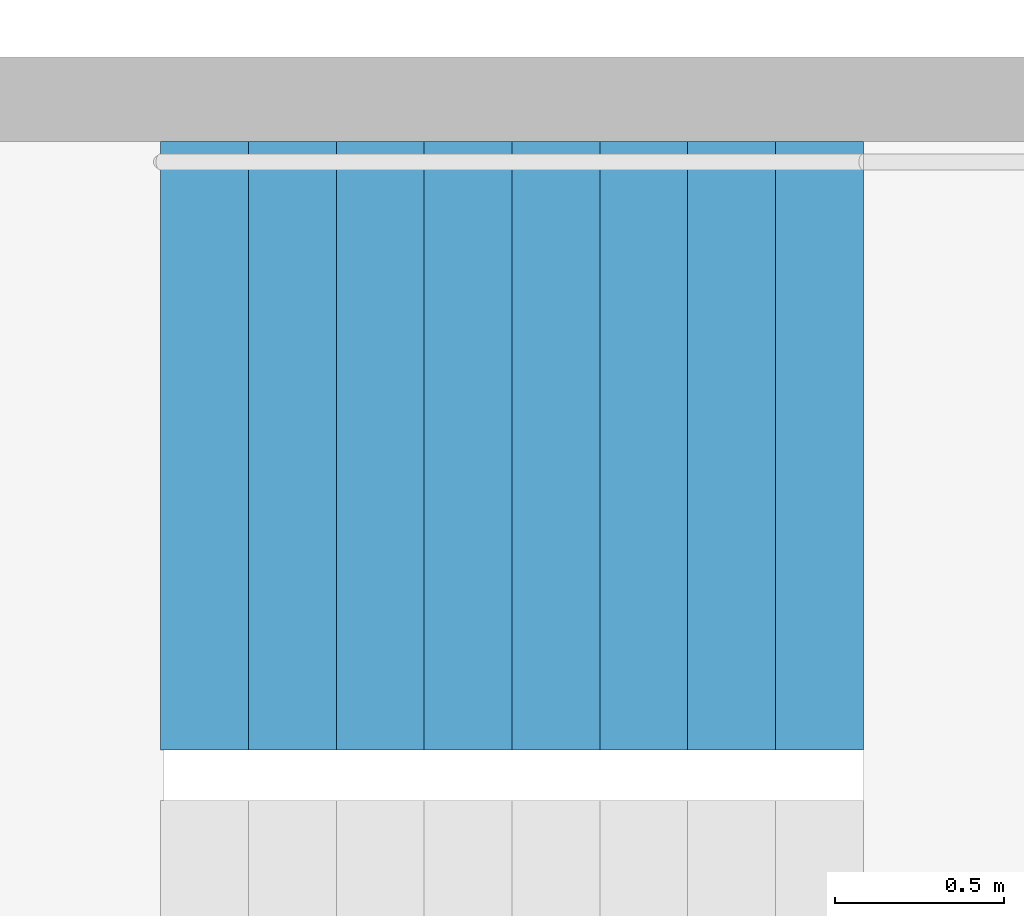
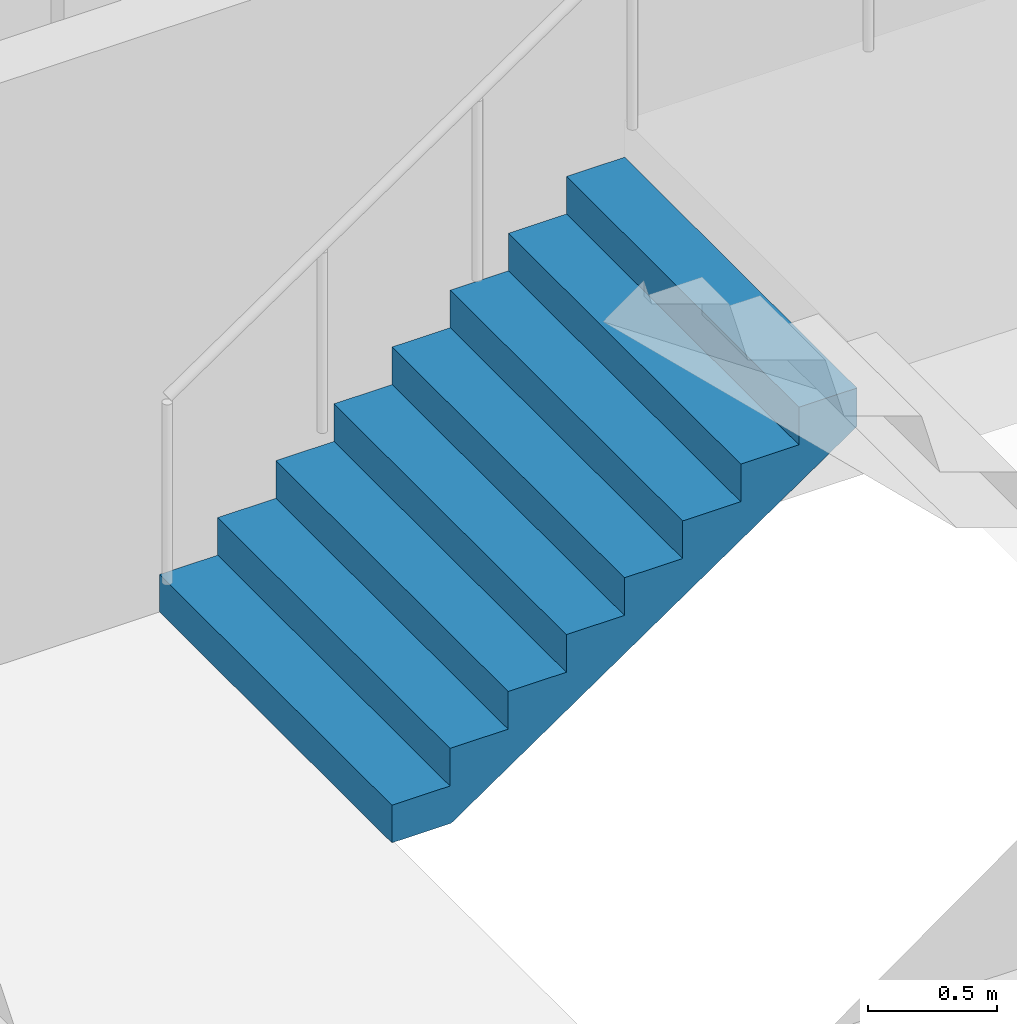
# One storey, part 22 of 30: 1 stair flight, 1 element without a shape of its own.
"""IFC4 building model written with IfcOpenShell, lengths in metres."""

from ifc_helpers import new_model, si_unit, direction, frame, origin, place, context, subcontext, project, spatial, triangles, material, type_object, element, aggregate, save


model = new_model("IFC4")

# Units and contexts
model_context = context("Model", 3, precision=1e-05, world=origin(), true_north=direction((0.0, 1.0)))
body_context = subcontext(model_context, "Body", "Model", "MODEL_VIEW")
ifc_project = project(units=[si_unit("LENGTHUNIT", "METRE"), si_unit("AREAUNIT", "SQUARE_METRE"), si_unit("VOLUMEUNIT", "CUBIC_METRE"), si_unit("PLANEANGLEUNIT", "RADIAN"), si_unit("MASSUNIT", "GRAM", prefix="KILO")], contexts=[model_context])

# Site, building, storey
site_placement = place(None, origin())
site = spatial("IfcSite", under=ifc_project, at=site_placement, CompositionType="ELEMENT")
building_placement = place(site_placement, origin())
building = spatial("IfcBuilding", under=site, at=building_placement, Name="Hakoniwa Tower and Hamabe Station Hall", CompositionType="ELEMENT")
storey_placement = place(building_placement, frame((0.0, 0.0, 137.39990234375)))
storey = spatial("IfcBuildingStorey", under=building, at=storey_placement, Name="L38", CompositionType="ELEMENT", Elevation=137.39990234375)

# Stair, stair flight
ifc_material_1 = material(Name="Concrete C40", Category="concrete")
stair_type = type_object("IfcStairType", Name="ESCAPE STAIR 1800", PredefinedType="HALF_TURN_STAIR", material=ifc_material_1)
stair_placement = place(storey_placement, origin())
stair = element("IfcStair", 1, at=stair_placement, inside=storey, type_object=stair_type, Name="Escape stair ST-4 L38", PredefinedType="HALF_TURN_STAIR")
ifc_material_2 = material(Name="Concrete C40", Category="concrete")
stair_flight_type = type_object("IfcStairFlightType", Name="STAIR FLIGHT 1800", PredefinedType="STRAIGHT", material=ifc_material_2)
stair_flight_placement = place(storey_placement, frame((23.39990234375, -4.64990234375, 0.0), z_axis=(0.0, 0.0, 1.0), x_axis=(1.0, 0.0, 0.0)))
stair_flight = element("IfcStairFlight", 2, at=stair_flight_placement, type_object=stair_flight_type, Name="ST-4 flight 1", NumberOfRisers=9, NumberOfTreads=8, PredefinedType="STRAIGHT", RiserHeight=0.177777778, TreadLength=0.26, context=body_context, shape_type="Tessellation", body=[
    triangles([(0.0, 0.89990234375, 0.0), (0.260009765625, 0.89990234375, 0.0), (0.265625, 0.89990234375, 0.0), (0.52001953125, 0.89990234375, 0.174072265625), (0.780029296875, 0.89990234375, 0.351806640625), (1.0400390625, 0.89990234375, 0.529541015625), (1.300048828125, 0.89990234375, 0.707275390625), (1.56005859375, 0.89990234375, 0.885009765625), (1.820068359375, 0.89990234375, 1.062744140625), (2.080078125, 0.89990234375, 1.24072265625), (2.080078125, 0.89990234375, 1.422119140625), (1.820068359375, 0.89990234375, 1.422119140625), (1.820068359375, 0.89990234375, 1.244384765625), (1.56005859375, 0.89990234375, 1.244384765625), (1.56005859375, 0.89990234375, 1.066650390625), (1.300048828125, 0.89990234375, 1.066650390625), (1.300048828125, 0.89990234375, 0.888916015625), (1.0400390625, 0.89990234375, 0.888916015625), (1.0400390625, 0.89990234375, 0.711181640625), (0.780029296875, 0.89990234375, 0.711181640625), (0.780029296875, 0.89990234375, 0.533447265625), (0.52001953125, 0.89990234375, 0.533447265625), (0.52001953125, 0.89990234375, 0.35546875), (0.265625, 0.89990234375, 0.35546875), (0.260009765625, 0.89990234375, 0.35546875), (0.260009765625, 0.89990234375, 0.177734375), (0.0, 0.89990234375, 0.177734375), (0.0, 0.06005859375, 0.0), (0.260009765625, 0.06005859375, 0.0), (0.265625, 0.06005859375, 0.0), (0.52001953125, 0.06005859375, 0.174072265625), (0.780029296875, 0.06005859375, 0.351806640625), (1.0400390625, 0.06005859375, 0.529541015625), (1.300048828125, 0.06005859375, 0.707275390625), (1.56005859375, 0.06005859375, 0.885009765625), (1.820068359375, 0.06005859375, 1.062744140625), (2.080078125, 0.06005859375, 1.24072265625), (2.080078125, 0.06005859375, 1.422119140625), (1.820068359375, 0.06005859375, 1.422119140625), (1.820068359375, 0.06005859375, 1.244384765625), (1.56005859375, 0.06005859375, 1.244384765625), (1.56005859375, 0.06005859375, 1.066650390625), (1.300048828125, 0.06005859375, 1.066650390625), (1.300048828125, 0.06005859375, 0.888916015625), (1.0400390625, 0.06005859375, 0.888916015625), (1.0400390625, 0.06005859375, 0.711181640625), (0.780029296875, 0.06005859375, 0.711181640625), (0.780029296875, 0.06005859375, 0.533447265625), (0.52001953125, 0.06005859375, 0.533447265625), (0.52001953125, 0.06005859375, 0.35546875), (0.265625, 0.06005859375, 0.35546875), (0.260009765625, 0.06005859375, 0.35546875), (0.260009765625, 0.06005859375, 0.177734375), (0.0, 0.06005859375, 0.177734375), (0.0, 0.04296875, 0.0), (0.260009765625, 0.04296875, 0.0), (0.265625, 0.04296875, 0.0), (0.52001953125, 0.04296875, 0.174072265625), (0.780029296875, 0.04296875, 0.351806640625), (1.0400390625, 0.04296875, 0.529541015625), (1.300048828125, 0.04296875, 0.707275390625), (1.56005859375, 0.04296875, 0.885009765625), (1.820068359375, 0.04296875, 1.062744140625), (2.080078125, 0.04296875, 1.24072265625), (2.080078125, 0.04296875, 1.422119140625), (1.820068359375, 0.04296875, 1.422119140625), (1.820068359375, 0.04296875, 1.244384765625), (1.56005859375, 0.04296875, 1.244384765625), (1.56005859375, 0.04296875, 1.066650390625), (1.300048828125, 0.04296875, 1.066650390625), (1.300048828125, 0.04296875, 0.888916015625), (1.0400390625, 0.04296875, 0.888916015625), (1.0400390625, 0.04296875, 0.711181640625), (0.780029296875, 0.04296875, 0.711181640625), (0.780029296875, 0.04296875, 0.533447265625), (0.52001953125, 0.04296875, 0.533447265625), (0.52001953125, 0.04296875, 0.35546875), (0.265625, 0.04296875, 0.35546875), (0.260009765625, 0.04296875, 0.35546875), (0.260009765625, 0.04296875, 0.177734375), (0.0, 0.04296875, 0.177734375), (0.0, 0.025634765625, 0.0), (0.260009765625, 0.025634765625, 0.0), (0.265625, 0.025634765625, 0.0), (0.52001953125, 0.025634765625, 0.174072265625), (0.780029296875, 0.025634765625, 0.351806640625), (1.0400390625, 0.025634765625, 0.529541015625), (1.300048828125, 0.025634765625, 0.707275390625), (1.56005859375, 0.025634765625, 0.885009765625), (1.820068359375, 0.025634765625, 1.062744140625), (2.080078125, 0.025634765625, 1.24072265625), (2.080078125, 0.025634765625, 1.422119140625), (1.820068359375, 0.025634765625, 1.422119140625), (1.820068359375, 0.025634765625, 1.244384765625), (1.56005859375, 0.025634765625, 1.244384765625), (1.56005859375, 0.025634765625, 1.066650390625), (1.300048828125, 0.025634765625, 1.066650390625), (1.300048828125, 0.025634765625, 0.888916015625), (1.0400390625, 0.025634765625, 0.888916015625), (1.0400390625, 0.025634765625, 0.711181640625), (0.780029296875, 0.025634765625, 0.711181640625), (0.780029296875, 0.025634765625, 0.533447265625), (0.52001953125, 0.025634765625, 0.533447265625), (0.52001953125, 0.025634765625, 0.35546875), (0.265625, 0.025634765625, 0.35546875), (0.260009765625, 0.025634765625, 0.35546875), (0.260009765625, 0.025634765625, 0.177734375), (0.0, 0.025634765625, 0.177734375), (0.0, 0.008544921875, 0.0), (0.260009765625, 0.008544921875, 0.0), (0.265625, 0.008544921875, 0.0), (0.52001953125, 0.008544921875, 0.174072265625), (0.780029296875, 0.008544921875, 0.351806640625), (1.0400390625, 0.008544921875, 0.529541015625), (1.300048828125, 0.008544921875, 0.707275390625), (1.56005859375, 0.008544921875, 0.885009765625), (1.820068359375, 0.008544921875, 1.062744140625), (2.080078125, 0.008544921875, 1.24072265625), (2.080078125, 0.008544921875, 1.422119140625), (1.820068359375, 0.008544921875, 1.422119140625), (1.820068359375, 0.008544921875, 1.244384765625), (1.56005859375, 0.008544921875, 1.244384765625), (1.56005859375, 0.008544921875, 1.066650390625), (1.300048828125, 0.008544921875, 1.066650390625), (1.300048828125, 0.008544921875, 0.888916015625), (1.0400390625, 0.008544921875, 0.888916015625), (1.0400390625, 0.008544921875, 0.711181640625), (0.780029296875, 0.008544921875, 0.711181640625), (0.780029296875, 0.008544921875, 0.533447265625), (0.52001953125, 0.008544921875, 0.533447265625), (0.52001953125, 0.008544921875, 0.35546875), (0.265625, 0.008544921875, 0.35546875), (0.260009765625, 0.008544921875, 0.35546875), (0.260009765625, 0.008544921875, 0.177734375), (0.0, 0.008544921875, 0.177734375), (0.0, -0.008544921875, 0.0), (0.260009765625, -0.008544921875, 0.0), (0.265625, -0.008544921875, 0.0), (0.52001953125, -0.008544921875, 0.174072265625), (0.780029296875, -0.008544921875, 0.351806640625), (1.0400390625, -0.008544921875, 0.529541015625), (1.300048828125, -0.008544921875, 0.707275390625), (1.56005859375, -0.008544921875, 0.885009765625), (1.820068359375, -0.008544921875, 1.062744140625), (2.080078125, -0.008544921875, 1.24072265625), (2.080078125, -0.008544921875, 1.422119140625), (1.820068359375, -0.008544921875, 1.422119140625), (1.820068359375, -0.008544921875, 1.244384765625), (1.56005859375, -0.008544921875, 1.244384765625), (1.56005859375, -0.008544921875, 1.066650390625), (1.300048828125, -0.008544921875, 1.066650390625), (1.300048828125, -0.008544921875, 0.888916015625), (1.0400390625, -0.008544921875, 0.888916015625), (1.0400390625, -0.008544921875, 0.711181640625), (0.780029296875, -0.008544921875, 0.711181640625), (0.780029296875, -0.008544921875, 0.533447265625), (0.52001953125, -0.008544921875, 0.533447265625), (0.52001953125, -0.008544921875, 0.35546875), (0.265625, -0.008544921875, 0.35546875), (0.260009765625, -0.008544921875, 0.35546875), (0.260009765625, -0.008544921875, 0.177734375), (0.0, -0.008544921875, 0.177734375), (0.0, -0.025634765625, 0.0), (0.260009765625, -0.025634765625, 0.0), (0.265625, -0.025634765625, 0.0), (0.52001953125, -0.025634765625, 0.174072265625), (0.780029296875, -0.025634765625, 0.351806640625), (1.0400390625, -0.025634765625, 0.529541015625), (1.300048828125, -0.025634765625, 0.707275390625), (1.56005859375, -0.025634765625, 0.885009765625), (1.820068359375, -0.025634765625, 1.062744140625), (2.080078125, -0.025634765625, 1.24072265625), (2.080078125, -0.025634765625, 1.422119140625), (1.820068359375, -0.025634765625, 1.422119140625), (1.820068359375, -0.025634765625, 1.244384765625), (1.56005859375, -0.025634765625, 1.244384765625), (1.56005859375, -0.025634765625, 1.066650390625), (1.300048828125, -0.025634765625, 1.066650390625), (1.300048828125, -0.025634765625, 0.888916015625), (1.0400390625, -0.025634765625, 0.888916015625), (1.0400390625, -0.025634765625, 0.711181640625), (0.780029296875, -0.025634765625, 0.711181640625), (0.780029296875, -0.025634765625, 0.533447265625), (0.52001953125, -0.025634765625, 0.533447265625), (0.52001953125, -0.025634765625, 0.35546875), (0.265625, -0.025634765625, 0.35546875), (0.260009765625, -0.025634765625, 0.35546875), (0.260009765625, -0.025634765625, 0.177734375), (0.0, -0.025634765625, 0.177734375), (0.0, -0.04296875, 0.0), (0.260009765625, -0.04296875, 0.0), (0.265625, -0.04296875, 0.0), (0.52001953125, -0.04296875, 0.174072265625), (0.780029296875, -0.04296875, 0.351806640625), (1.0400390625, -0.04296875, 0.529541015625), (1.300048828125, -0.04296875, 0.707275390625), (1.56005859375, -0.04296875, 0.885009765625), (1.820068359375, -0.04296875, 1.062744140625), (2.080078125, -0.04296875, 1.24072265625), (2.080078125, -0.04296875, 1.422119140625), (1.820068359375, -0.04296875, 1.422119140625), (1.820068359375, -0.04296875, 1.244384765625), (1.56005859375, -0.04296875, 1.244384765625), (1.56005859375, -0.04296875, 1.066650390625), (1.300048828125, -0.04296875, 1.066650390625), (1.300048828125, -0.04296875, 0.888916015625), (1.0400390625, -0.04296875, 0.888916015625), (1.0400390625, -0.04296875, 0.711181640625), (0.780029296875, -0.04296875, 0.711181640625), (0.780029296875, -0.04296875, 0.533447265625), (0.52001953125, -0.04296875, 0.533447265625), (0.52001953125, -0.04296875, 0.35546875), (0.265625, -0.04296875, 0.35546875), (0.260009765625, -0.04296875, 0.35546875), (0.260009765625, -0.04296875, 0.177734375), (0.0, -0.04296875, 0.177734375), (0.0, -0.06005859375, 0.0), (0.260009765625, -0.06005859375, 0.0), (0.265625, -0.06005859375, 0.0), (0.52001953125, -0.06005859375, 0.174072265625), (0.780029296875, -0.06005859375, 0.351806640625), (1.0400390625, -0.06005859375, 0.529541015625), (1.300048828125, -0.06005859375, 0.707275390625), (1.56005859375, -0.06005859375, 0.885009765625), (1.820068359375, -0.06005859375, 1.062744140625), (2.080078125, -0.06005859375, 1.24072265625), (2.080078125, -0.06005859375, 1.422119140625), (1.820068359375, -0.06005859375, 1.422119140625), (1.820068359375, -0.06005859375, 1.244384765625), (1.56005859375, -0.06005859375, 1.244384765625), (1.56005859375, -0.06005859375, 1.066650390625), (1.300048828125, -0.06005859375, 1.066650390625), (1.300048828125, -0.06005859375, 0.888916015625), (1.0400390625, -0.06005859375, 0.888916015625), (1.0400390625, -0.06005859375, 0.711181640625), (0.780029296875, -0.06005859375, 0.711181640625), (0.780029296875, -0.06005859375, 0.533447265625), (0.52001953125, -0.06005859375, 0.533447265625), (0.52001953125, -0.06005859375, 0.35546875), (0.265625, -0.06005859375, 0.35546875), (0.260009765625, -0.06005859375, 0.35546875), (0.260009765625, -0.06005859375, 0.177734375), (0.0, -0.06005859375, 0.177734375), (0.0, -0.89990234375, 0.0), (0.260009765625, -0.89990234375, 0.0), (0.265625, -0.89990234375, 0.0), (0.52001953125, -0.89990234375, 0.174072265625), (0.780029296875, -0.89990234375, 0.351806640625), (1.0400390625, -0.89990234375, 0.529541015625), (1.300048828125, -0.89990234375, 0.707275390625), (1.56005859375, -0.89990234375, 0.885009765625), (1.820068359375, -0.89990234375, 1.062744140625), (2.080078125, -0.89990234375, 1.24072265625), (2.080078125, -0.89990234375, 1.422119140625), (1.820068359375, -0.89990234375, 1.422119140625), (1.820068359375, -0.89990234375, 1.244384765625), (1.56005859375, -0.89990234375, 1.244384765625), (1.56005859375, -0.89990234375, 1.066650390625), (1.300048828125, -0.89990234375, 1.066650390625), (1.300048828125, -0.89990234375, 0.888916015625), (1.0400390625, -0.89990234375, 0.888916015625), (1.0400390625, -0.89990234375, 0.711181640625), (0.780029296875, -0.89990234375, 0.711181640625), (0.780029296875, -0.89990234375, 0.533447265625), (0.52001953125, -0.89990234375, 0.533447265625), (0.52001953125, -0.89990234375, 0.35546875), (0.265625, -0.89990234375, 0.35546875), (0.260009765625, -0.89990234375, 0.35546875), (0.260009765625, -0.89990234375, 0.177734375), (0.0, -0.89990234375, 0.177734375)], [[2, 27, 26], [245, 269, 270], [2, 1, 27], [245, 270, 244], [3, 25, 24], [246, 267, 268], [3, 26, 25], [246, 268, 269], [3, 2, 26], [246, 269, 245], [4, 24, 23], [247, 266, 267], [4, 3, 24], [247, 267, 246], [5, 22, 21], [248, 264, 265], [5, 23, 22], [248, 265, 266], [5, 4, 23], [248, 266, 247], [6, 20, 19], [249, 262, 263], [6, 21, 20], [249, 263, 264], [6, 5, 21], [249, 264, 248], [7, 18, 17], [250, 260, 261], [7, 19, 18], [250, 261, 262], [7, 6, 19], [250, 262, 249], [8, 16, 15], [251, 258, 259], [8, 17, 16], [251, 259, 260], [8, 7, 17], [251, 260, 250], [9, 14, 13], [252, 256, 257], [9, 15, 14], [252, 257, 258], [9, 8, 15], [252, 258, 251], [10, 12, 11], [253, 254, 255], [10, 13, 12], [253, 255, 256], [10, 9, 13], [253, 256, 252], [1, 2, 29], [1, 29, 28], [28, 29, 56], [28, 56, 55], [55, 56, 83], [55, 83, 82], [82, 83, 110], [82, 110, 109], [109, 110, 137], [109, 137, 136], [136, 137, 164], [136, 164, 163], [163, 164, 191], [163, 191, 190], [190, 191, 218], [190, 218, 217], [217, 218, 245], [217, 245, 244], [2, 3, 30], [2, 30, 29], [29, 30, 57], [29, 57, 56], [56, 57, 84], [56, 84, 83], [83, 84, 111], [83, 111, 110], [110, 111, 138], [110, 138, 137], [137, 138, 165], [137, 165, 164], [164, 165, 192], [164, 192, 191], [191, 192, 219], [191, 219, 218], [218, 219, 246], [218, 246, 245], [3, 4, 31], [3, 31, 30], [30, 31, 58], [30, 58, 57], [57, 58, 85], [57, 85, 84], [84, 85, 112], [84, 112, 111], [111, 112, 139], [111, 139, 138], [138, 139, 166], [138, 166, 165], [165, 166, 193], [165, 193, 192], [192, 193, 220], [192, 220, 219], [219, 220, 247], [219, 247, 246], [4, 5, 32], [4, 32, 31], [31, 32, 59], [31, 59, 58], [58, 59, 86], [58, 86, 85], [85, 86, 113], [85, 113, 112], [112, 113, 140], [112, 140, 139], [139, 140, 167], [139, 167, 166], [166, 167, 194], [166, 194, 193], [193, 194, 221], [193, 221, 220], [220, 221, 248], [220, 248, 247], [5, 6, 33], [5, 33, 32], [32, 33, 60], [32, 60, 59], [59, 60, 87], [59, 87, 86], [86, 87, 114], [86, 114, 113], [113, 114, 141], [113, 141, 140], [140, 141, 168], [140, 168, 167], [167, 168, 195], [167, 195, 194], [194, 195, 222], [194, 222, 221], [221, 222, 249], [221, 249, 248], [6, 7, 34], [6, 34, 33], [33, 34, 61], [33, 61, 60], [60, 61, 88], [60, 88, 87], [87, 88, 115], [87, 115, 114], [114, 115, 142], [114, 142, 141], [141, 142, 169], [141, 169, 168], [168, 169, 196], [168, 196, 195], [195, 196, 223], [195, 223, 222], [222, 223, 250], [222, 250, 249], [7, 8, 35], [7, 35, 34], [34, 35, 62], [34, 62, 61], [61, 62, 89], [61, 89, 88], [88, 89, 116], [88, 116, 115], [115, 116, 143], [115, 143, 142], [142, 143, 170], [142, 170, 169], [169, 170, 197], [169, 197, 196], [196, 197, 224], [196, 224, 223], [223, 224, 251], [223, 251, 250], [8, 9, 36], [8, 36, 35], [35, 36, 63], [35, 63, 62], [62, 63, 90], [62, 90, 89], [89, 90, 117], [89, 117, 116], [116, 117, 144], [116, 144, 143], [143, 144, 171], [143, 171, 170], [170, 171, 198], [170, 198, 197], [197, 198, 225], [197, 225, 224], [224, 225, 252], [224, 252, 251], [9, 10, 37], [9, 37, 36], [36, 37, 64], [36, 64, 63], [63, 64, 91], [63, 91, 90], [90, 91, 118], [90, 118, 117], [117, 118, 145], [117, 145, 144], [144, 145, 172], [144, 172, 171], [171, 172, 199], [171, 199, 198], [198, 199, 226], [198, 226, 225], [225, 226, 253], [225, 253, 252], [10, 11, 38], [10, 38, 37], [37, 38, 65], [37, 65, 64], [64, 65, 92], [64, 92, 91], [91, 92, 119], [91, 119, 118], [118, 119, 146], [118, 146, 145], [145, 146, 173], [145, 173, 172], [172, 173, 200], [172, 200, 199], [199, 200, 227], [199, 227, 226], [226, 227, 254], [226, 254, 253], [11, 12, 39], [11, 39, 38], [38, 39, 66], [38, 66, 65], [65, 66, 93], [65, 93, 92], [92, 93, 120], [92, 120, 119], [119, 120, 147], [119, 147, 146], [146, 147, 174], [146, 174, 173], [173, 174, 201], [173, 201, 200], [200, 201, 228], [200, 228, 227], [227, 228, 255], [227, 255, 254], [12, 13, 40], [12, 40, 39], [39, 40, 67], [39, 67, 66], [66, 67, 94], [66, 94, 93], [93, 94, 121], [93, 121, 120], [120, 121, 148], [120, 148, 147], [147, 148, 175], [147, 175, 174], [174, 175, 202], [174, 202, 201], [201, 202, 229], [201, 229, 228], [228, 229, 256], [228, 256, 255], [13, 14, 41], [13, 41, 40], [40, 41, 68], [40, 68, 67], [67, 68, 95], [67, 95, 94], [94, 95, 122], [94, 122, 121], [121, 122, 149], [121, 149, 148], [148, 149, 176], [148, 176, 175], [175, 176, 203], [175, 203, 202], [202, 203, 230], [202, 230, 229], [229, 230, 257], [229, 257, 256], [14, 15, 42], [14, 42, 41], [41, 42, 69], [41, 69, 68], [68, 69, 96], [68, 96, 95], [95, 96, 123], [95, 123, 122], [122, 123, 150], [122, 150, 149], [149, 150, 177], [149, 177, 176], [176, 177, 204], [176, 204, 203], [203, 204, 231], [203, 231, 230], [230, 231, 258], [230, 258, 257], [15, 16, 43], [15, 43, 42], [42, 43, 70], [42, 70, 69], [69, 70, 97], [69, 97, 96], [96, 97, 124], [96, 124, 123], [123, 124, 151], [123, 151, 150], [150, 151, 178], [150, 178, 177], [177, 178, 205], [177, 205, 204], [204, 205, 232], [204, 232, 231], [231, 232, 259], [231, 259, 258], [16, 17, 44], [16, 44, 43], [43, 44, 71], [43, 71, 70], [70, 71, 98], [70, 98, 97], [97, 98, 125], [97, 125, 124], [124, 125, 152], [124, 152, 151], [151, 152, 179], [151, 179, 178], [178, 179, 206], [178, 206, 205], [205, 206, 233], [205, 233, 232], [232, 233, 260], [232, 260, 259], [17, 18, 45], [17, 45, 44], [44, 45, 72], [44, 72, 71], [71, 72, 99], [71, 99, 98], [98, 99, 126], [98, 126, 125], [125, 126, 153], [125, 153, 152], [152, 153, 180], [152, 180, 179], [179, 180, 207], [179, 207, 206], [206, 207, 234], [206, 234, 233], [233, 234, 261], [233, 261, 260], [18, 19, 46], [18, 46, 45], [45, 46, 73], [45, 73, 72], [72, 73, 100], [72, 100, 99], [99, 100, 127], [99, 127, 126], [126, 127, 154], [126, 154, 153], [153, 154, 181], [153, 181, 180], [180, 181, 208], [180, 208, 207], [207, 208, 235], [207, 235, 234], [234, 235, 262], [234, 262, 261], [19, 20, 47], [19, 47, 46], [46, 47, 74], [46, 74, 73], [73, 74, 101], [73, 101, 100], [100, 101, 128], [100, 128, 127], [127, 128, 155], [127, 155, 154], [154, 155, 182], [154, 182, 181], [181, 182, 209], [181, 209, 208], [208, 209, 236], [208, 236, 235], [235, 236, 263], [235, 263, 262], [20, 21, 48], [20, 48, 47], [47, 48, 75], [47, 75, 74], [74, 75, 102], [74, 102, 101], [101, 102, 129], [101, 129, 128], [128, 129, 156], [128, 156, 155], [155, 156, 183], [155, 183, 182], [182, 183, 210], [182, 210, 209], [209, 210, 237], [209, 237, 236], [236, 237, 264], [236, 264, 263], [21, 22, 49], [21, 49, 48], [48, 49, 76], [48, 76, 75], [75, 76, 103], [75, 103, 102], [102, 103, 130], [102, 130, 129], [129, 130, 157], [129, 157, 156], [156, 157, 184], [156, 184, 183], [183, 184, 211], [183, 211, 210], [210, 211, 238], [210, 238, 237], [237, 238, 265], [237, 265, 264], [22, 23, 50], [22, 50, 49], [49, 50, 77], [49, 77, 76], [76, 77, 104], [76, 104, 103], [103, 104, 131], [103, 131, 130], [130, 131, 158], [130, 158, 157], [157, 158, 185], [157, 185, 184], [184, 185, 212], [184, 212, 211], [211, 212, 239], [211, 239, 238], [238, 239, 266], [238, 266, 265], [23, 24, 51], [23, 51, 50], [50, 51, 78], [50, 78, 77], [77, 78, 105], [77, 105, 104], [104, 105, 132], [104, 132, 131], [131, 132, 159], [131, 159, 158], [158, 159, 186], [158, 186, 185], [185, 186, 213], [185, 213, 212], [212, 213, 240], [212, 240, 239], [239, 240, 267], [239, 267, 266], [24, 25, 52], [24, 52, 51], [51, 52, 79], [51, 79, 78], [78, 79, 106], [78, 106, 105], [105, 106, 133], [105, 133, 132], [132, 133, 160], [132, 160, 159], [159, 160, 187], [159, 187, 186], [186, 187, 214], [186, 214, 213], [213, 214, 241], [213, 241, 240], [240, 241, 268], [240, 268, 267], [25, 26, 53], [25, 53, 52], [52, 53, 80], [52, 80, 79], [79, 80, 107], [79, 107, 106], [106, 107, 134], [106, 134, 133], [133, 134, 161], [133, 161, 160], [160, 161, 188], [160, 188, 187], [187, 188, 215], [187, 215, 214], [214, 215, 242], [214, 242, 241], [241, 242, 269], [241, 269, 268], [26, 27, 54], [26, 54, 53], [53, 54, 81], [53, 81, 80], [80, 81, 108], [80, 108, 107], [107, 108, 135], [107, 135, 134], [134, 135, 162], [134, 162, 161], [161, 162, 189], [161, 189, 188], [188, 189, 216], [188, 216, 215], [215, 216, 243], [215, 243, 242], [242, 243, 270], [242, 270, 269], [27, 1, 28], [27, 28, 54], [54, 28, 55], [54, 55, 81], [81, 55, 82], [81, 82, 108], [108, 82, 109], [108, 109, 135], [135, 109, 136], [135, 136, 162], [162, 136, 163], [162, 163, 189], [189, 163, 190], [189, 190, 216], [216, 190, 217], [216, 217, 243], [243, 217, 244], [243, 244, 270]], closed=True),
])
aggregate(stair, [stair_flight])

save(model, "model.ifc")
